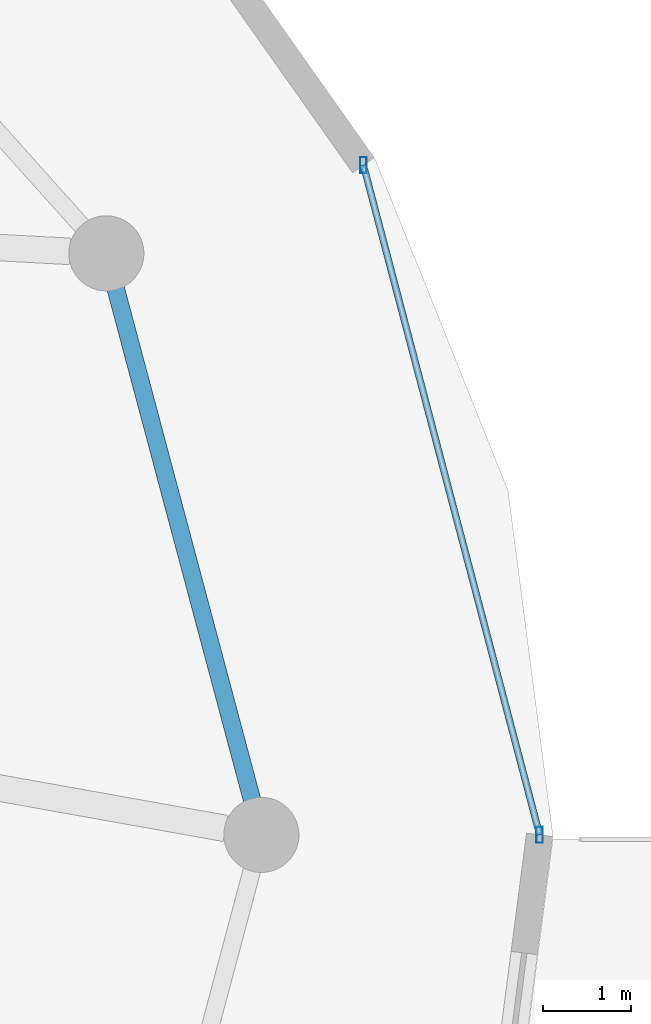
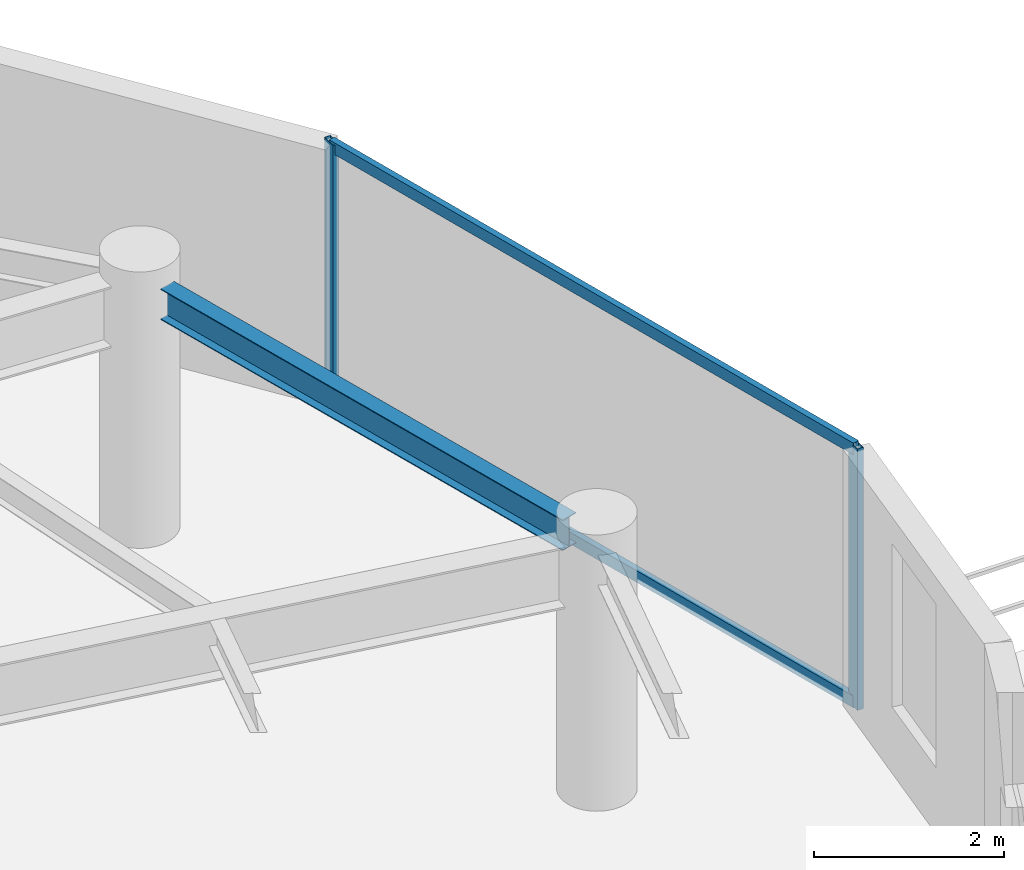
# One storey, part 15 of 30: 4 members, 1 beam, 1 element without a shape of its own.
"""IFC4 building model written with IfcOpenShell, lengths in metres."""

from ifc_helpers import new_model, si_unit, direction, frame, origin, origin_2d, place, context, subcontext, project, spatial, hollow_rectangle, i_section, extrude, material, material_profile, profile_set, type_object, element, aggregate, save


model = new_model("IFC4")

# Units and contexts
model_context = context("Model", 3, precision=1e-05, world=origin(), true_north=direction((0.0, 1.0)))
body_context = subcontext(model_context, "Body", "Model", "MODEL_VIEW")
ifc_project = project(units=[si_unit("LENGTHUNIT", "METRE"), si_unit("AREAUNIT", "SQUARE_METRE"), si_unit("VOLUMEUNIT", "CUBIC_METRE"), si_unit("PLANEANGLEUNIT", "RADIAN"), si_unit("MASSUNIT", "GRAM", prefix="KILO")], contexts=[model_context])

# Site, building, storey
site_placement = place(None, origin())
site = spatial("IfcSite", under=ifc_project, at=site_placement, CompositionType="ELEMENT")
building_placement = place(site_placement, origin())
building = spatial("IfcBuilding", under=site, at=building_placement, Name="Vorneva Point Tower", CompositionType="ELEMENT")
storey_placement = place(building_placement, frame((0.0, 0.0, 237.800048828125)))
storey = spatial("IfcBuildingStorey", under=building, at=storey_placement, Name="L64", CompositionType="ELEMENT", Elevation=237.800048828125)

# Beam
ifc_material_1 = material(Name="Steel S355", Category="steel")
ifc_material_profile_1 = material_profile(ifc_material_1, i_section(OverallWidth=0.198974609375, OverallDepth=0.39599609375, WebThickness=0.007080078125, FlangeThickness=0.010986328125, at=origin_2d()), Name="40B1")
ifc_profile_set_1 = profile_set([ifc_material_profile_1], Name="Steel S355")
beam_type = type_object("IfcBeamType", Name="BM-SPN-40B1", PredefinedType="SPANDREL", material=ifc_profile_set_1)
beam_placement = place(storey_placement, frame((60.9443359375, 26.396240234375, 3.092041015625), z_axis=(-0.257586570866, 0.966255224312, 0.0), x_axis=(-0.966255224312, -0.257586570866, 0.0)))
element("IfcBeam", 1, at=beam_placement, inside=storey, type_object=beam_type, Name="L64 Perimeter Spandrel Ring Beam 01", PredefinedType="SPANDREL", context=body_context, shape_type="SweptSolid", body=[
    extrude(i_section(OverallWidth=0.198974609375, OverallDepth=0.39599609375, WebThickness=0.007080078125, FlangeThickness=0.010986328125, at=origin_2d()), origin(), (0.0, 0.0, 1.0), 5.991943359375),
])

# Curtain wall, members
ifc_material_2 = material(Name="Pale anodised aluminium", Category="aluminium")
curtain_wall_type = type_object("IfcCurtainWallType", Name="CW-RES-SYS", PredefinedType="NOTDEFINED", material=ifc_material_2)
curtain_wall_placement = place(storey_placement, origin())
curtain_wall = element("IfcCurtainWall", 2, at=curtain_wall_placement, inside=storey, type_object=curtain_wall_type, Name="L64 Unitised Curtain Wall CW-L64-R01", PredefinedType="NOTDEFINED")
ifc_material_profile_2 = material_profile(ifc_material_2, hollow_rectangle(XDim=0.074951171875, YDim=0.179931640625, WallThickness=0.00390625, at=origin_2d()), Name="AL-MUL 180x75x4")
ifc_profile_set_2 = profile_set([ifc_material_profile_2], Name="Pale anodised aluminium")
member_type_1 = type_object("IfcMemberType", Name="CW-MUL-180", PredefinedType="MULLION", material=ifc_profile_set_2)
member_1_placement = place(storey_placement, frame((64.199951171875, 26.0, -0.0400390625), z_axis=(0.0, 0.0, 1.0), x_axis=(1.0, 0.0, 0.0)))
member_1 = element("IfcMember", 3, at=member_1_placement, type_object=member_type_1, Name="CW-L64-R01 Mullion 01", PredefinedType="MULLION", context=body_context, shape_type="SweptSolid", body=[
    extrude(hollow_rectangle(XDim=0.074951171875, YDim=0.179931640625, WallThickness=0.00390625, at=origin_2d()), origin(), (0.0, 0.0, 1.0), 3.360107421875),
])
member_2_placement = place(storey_placement, frame((62.20556640625, 33.5810546875, -0.0400390625), z_axis=(0.0, 0.0, 1.0), x_axis=(1.0, 0.0, 0.0)))
member_2 = element("IfcMember", 4, at=member_2_placement, type_object=member_type_1, Name="CW-L64-R01 Mullion 02", PredefinedType="MULLION", context=body_context, shape_type="SweptSolid", body=[
    extrude(hollow_rectangle(XDim=0.074951171875, YDim=0.179931640625, WallThickness=0.00390625, at=origin_2d()), origin(), (0.0, 0.0, 1.0), 3.360107421875),
])
ifc_material_profile_3 = material_profile(ifc_material_2, hollow_rectangle(XDim=0.074951171875, YDim=0.14990234375, WallThickness=0.00390625, at=origin_2d()), Name="AL-TRN 150x75x4")
ifc_profile_set_3 = profile_set([ifc_material_profile_3], Name="Pale anodised aluminium")
member_type_2 = type_object("IfcMemberType", Name="CW-TRN-150", PredefinedType="USERDEFINED", material=ifc_profile_set_3)
member_3_placement = place(storey_placement, frame((64.199951171875, 26.0, 0.02001953125), z_axis=(-0.254418180926, 0.967094302131, 0.0), x_axis=(-0.967094302131, -0.254418180926, 0.0)))
member_3 = element("IfcMember", 5, at=member_3_placement, type_object=member_type_2, Name="CW-L64-R01 Transom 01.1", ObjectType="TRANSOM", PredefinedType="USERDEFINED", context=body_context, shape_type="SweptSolid", body=[
    extrude(hollow_rectangle(XDim=0.074951171875, YDim=0.14990234375, WallThickness=0.00390625, at=origin_2d()), origin(), (0.0, 0.0, 1.0), 7.839111328125),
])
member_4_placement = place(storey_placement, frame((64.199951171875, 26.0, 3.27001953125), z_axis=(-0.254418180926, 0.967094302131, 0.0), x_axis=(-0.967094302131, -0.254418180926, 0.0)))
member_4 = element("IfcMember", 6, at=member_4_placement, type_object=member_type_2, Name="CW-L64-R01 Transom 01.2", ObjectType="TRANSOM", PredefinedType="USERDEFINED", context=body_context, shape_type="SweptSolid", body=[
    extrude(hollow_rectangle(XDim=0.074951171875, YDim=0.14990234375, WallThickness=0.00390625, at=origin_2d()), origin(), (0.0, 0.0, 1.0), 7.839111328125),
])
aggregate(curtain_wall, [member_1, member_2, member_3, member_4])

save(model, "model.ifc")
